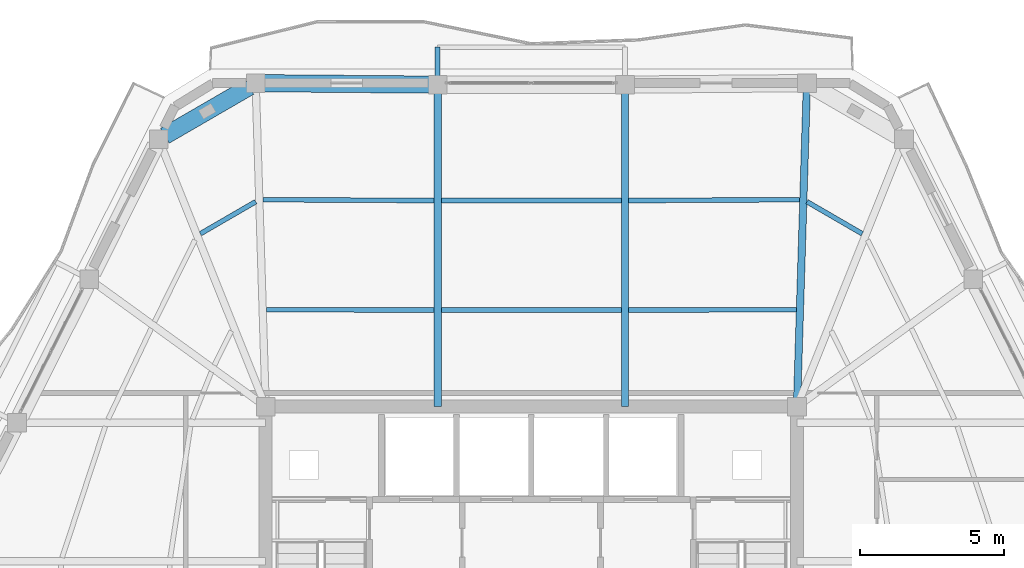
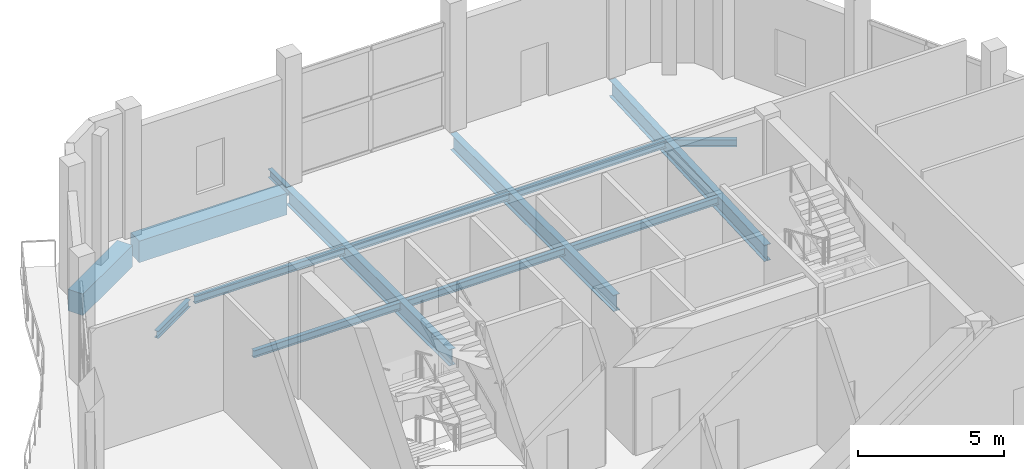
# One storey, part 14 of 23: 14 beams.
"""IFC4 building model written with IfcOpenShell, lengths in metres."""

from ifc_helpers import new_model, si_unit, direction, frame, origin, origin_2d, place, context, subcontext, project, spatial, rectangle, i_section, extrude, material, material_profile, profile_set, type_object, element, save


model = new_model("IFC4")

# Units and contexts
model_context = context("Model", 3, precision=1e-05, world=origin(), true_north=direction((0.0, 1.0)))
body_context = subcontext(model_context, "Body", "Model", "MODEL_VIEW")
ifc_project = project(units=[si_unit("LENGTHUNIT", "METRE"), si_unit("AREAUNIT", "SQUARE_METRE"), si_unit("VOLUMEUNIT", "CUBIC_METRE"), si_unit("PLANEANGLEUNIT", "RADIAN"), si_unit("MASSUNIT", "GRAM", prefix="KILO")], contexts=[model_context])

# Site, building, storey
site_placement = place(None, origin())
site = spatial("IfcSite", under=ifc_project, at=site_placement, CompositionType="ELEMENT")
building_placement = place(site_placement, origin())
building = spatial("IfcBuilding", under=site, at=building_placement, Name="Cinnabar Lancet Tower", CompositionType="ELEMENT")
storey_placement = place(building_placement, frame((0.0, 0.0, 278.10009765625)))
storey = spatial("IfcBuildingStorey", under=building, at=storey_placement, Name="L74", CompositionType="ELEMENT", Elevation=278.10009765625)

# Beams
ifc_material_1 = material(Name="Structural steel S355", Category="steel")
ifc_material_profile_1 = material_profile(ifc_material_1, i_section(OverallWidth=0.1650390625, OverallDepth=0.303466796875, WebThickness=0.006103515625, FlangeThickness=0.01025390625, FilletRadius=0.0087890625, at=origin_2d()), Name="UKB 305x165x40")
ifc_profile_set_1 = profile_set([ifc_material_profile_1], Name="Structural steel S355")
beam_type_1 = type_object("IfcBeamType", Name="STR-BM-JST-305", PredefinedType="JOIST", material=ifc_profile_set_1)
beam_1_placement = place(storey_placement, frame((43.89208984375, 39.131103515625, -0.43212890625), z_axis=(-0.865207786173, 0.501413488795, 0.0), x_axis=(-0.501413488795, -0.865207786173, 0.0)))
element("IfcBeam", 1, at=beam_1_placement, inside=storey, type_object=beam_type_1, Name="L74 Secondary Floor Joist 29", PredefinedType="JOIST", context=body_context, shape_type="SweptSolid", body=[
    extrude(i_section(OverallWidth=0.1650390625, OverallDepth=0.303466796875, WebThickness=0.006103515625, FlangeThickness=0.01025390625, FilletRadius=0.0087890625, at=origin_2d()), origin(), (0.0, 0.0, 1.0), 2.21923828125),
])
beam_2_placement = place(storey_placement, frame((41.719970703125, 40.31494140625, -0.43212890625), z_axis=(-0.999985500209, -0.005385106492, 0.0), x_axis=(0.005385106492, -0.999985500209, 0.0)))
element("IfcBeam", 2, at=beam_2_placement, inside=storey, type_object=beam_type_1, Name="L74 Secondary Floor Joist 30", PredefinedType="JOIST", context=body_context, shape_type="SweptSolid", body=[
    extrude(i_section(OverallWidth=0.1650390625, OverallDepth=0.303466796875, WebThickness=0.006103515625, FlangeThickness=0.01025390625, FilletRadius=0.0087890625, at=origin_2d()), origin(), (0.0, 0.0, 1.0), 5.93896484375),
])
beam_3_placement = place(storey_placement, frame((41.60205078125, 36.4951171875, -0.43212890625), z_axis=(-0.999996619123, -0.002600335125, 0.0), x_axis=(0.002600335125, -0.999996619123, 0.0)))
element("IfcBeam", 3, at=beam_3_placement, inside=storey, type_object=beam_type_1, Name="L74 Secondary Floor Joist 31", PredefinedType="JOIST", context=body_context, shape_type="SweptSolid", body=[
    extrude(i_section(OverallWidth=0.1650390625, OverallDepth=0.303466796875, WebThickness=0.006103515625, FlangeThickness=0.01025390625, FilletRadius=0.0087890625, at=origin_2d()), origin(), (0.0, 0.0, 1.0), 5.821044921875),
])
for number, where, z_axis, x_axis, name in (
    (4, (35.527099609375, 40.281982421875, -0.43212890625), (-1.0, 0.0, 0.0), (0.0, -1.0, 0.0), "L74 Secondary Floor Joist 32"),
    (5, (35.527099609375, 36.47998046875, -0.43212890625), (-1.0, 0.0, 0.0), (0.0, -1.0, 0.0), "L74 Secondary Floor Joist 33"),
):
    element("IfcBeam", number, at=place(storey_placement, frame(where, z_axis=z_axis, x_axis=x_axis)), inside=storey, type_object=beam_type_1, Name=name, PredefinedType="JOIST", context=body_context, shape_type="SweptSolid", body=[
        extrude(i_section(OverallWidth=0.1650390625, OverallDepth=0.303466796875, WebThickness=0.006103515625, FlangeThickness=0.01025390625, FilletRadius=0.0087890625, at=origin_2d()), origin(), (0.0, 0.0, 1.0), 6.254150390625),
    ])
beam_4_placement = place(storey_placement, frame((29.01904296875, 40.282958984375, -0.43212890625), z_axis=(-0.999985500209, 0.005385106492, 0.0), x_axis=(-0.005385106492, -0.999985500209, 0.0)))
element("IfcBeam", 6, at=beam_4_placement, inside=storey, type_object=beam_type_1, Name="L74 Secondary Floor Joist 34", PredefinedType="JOIST", context=body_context, shape_type="SweptSolid", body=[
    extrude(i_section(OverallWidth=0.1650390625, OverallDepth=0.303466796875, WebThickness=0.006103515625, FlangeThickness=0.01025390625, FilletRadius=0.0087890625, at=origin_2d()), origin(), (0.0, 0.0, 1.0), 5.93896484375),
])
beam_5_placement = place(storey_placement, frame((29.01904296875, 36.47998046875, -0.43212890625), z_axis=(-0.999996619123, 0.002600335125, 0.0), x_axis=(-0.002600335125, -0.999996619123, 0.0)))
element("IfcBeam", 7, at=beam_5_placement, inside=storey, type_object=beam_type_1, Name="L74 Secondary Floor Joist 35", PredefinedType="JOIST", context=body_context, shape_type="SweptSolid", body=[
    extrude(i_section(OverallWidth=0.1650390625, OverallDepth=0.303466796875, WebThickness=0.006103515625, FlangeThickness=0.01025390625, FilletRadius=0.0087890625, at=origin_2d()), origin(), (0.0, 0.0, 1.0), 5.821044921875),
])
beam_6_placement = place(storey_placement, frame((22.827880859375, 40.243896484375, -0.43212890625), z_axis=(-0.865180124673, -0.501461216717, 0.0), x_axis=(0.501461216717, -0.865180124673, 0.0)))
element("IfcBeam", 8, at=beam_6_placement, inside=storey, type_object=beam_type_1, Name="L74 Secondary Floor Joist 36", PredefinedType="JOIST", context=body_context, shape_type="SweptSolid", body=[
    extrude(i_section(OverallWidth=0.1650390625, OverallDepth=0.303466796875, WebThickness=0.006103515625, FlangeThickness=0.01025390625, FilletRadius=0.0087890625, at=origin_2d()), origin(), (0.0, 0.0, 1.0), 2.218994140625),
])
ifc_material_2 = material(Name="Concrete C60/75", Category="concrete")
ifc_material_profile_2 = material_profile(ifc_material_2, rectangle(XDim=0.60009765625, YDim=0.89990234375, at=origin_2d()), Name="RC-SB 600x900")
ifc_profile_set_2 = profile_set([ifc_material_profile_2], Name="Concrete C60/75")
beam_type_2 = type_object("IfcBeamType", Name="STR-BM-RCSB-900", PredefinedType="SPANDREL", material=ifc_profile_set_2)
beam_7_placement = place(storey_placement, frame((28.89599609375, 44.31005859375, -0.72998046875), z_axis=(-0.999964785419, 0.008392134492, 0.0), x_axis=(-0.008392134492, -0.999964785419, 0.0)))
element("IfcBeam", 9, at=beam_7_placement, inside=storey, type_object=beam_type_2, Name="L74 Perimeter Spandrel 15", PredefinedType="SPANDREL", context=body_context, shape_type="SweptSolid", body=[
    extrude(rectangle(XDim=0.60009765625, YDim=0.89990234375, at=origin_2d()), origin(), (0.0, 0.0, 1.0), 5.818359375),
])
beam_8_placement = place(storey_placement, frame((22.612060546875, 44.236083984375, -0.72998046875), z_axis=(-0.865199693264, -0.501427453153, 0.0), x_axis=(0.501427453153, -0.865199693264, 0.0)))
element("IfcBeam", 10, at=beam_8_placement, inside=storey, type_object=beam_type_2, Name="L74 Perimeter Spandrel 16", PredefinedType="SPANDREL", context=body_context, shape_type="SweptSolid", body=[
    extrude(rectangle(XDim=0.60009765625, YDim=0.89990234375, at=origin_2d()), origin(), (0.0, 0.0, 1.0), 3.39453125),
])
ifc_material_3 = material(Name="Structural steel S355", Category="steel")
ifc_material_profile_3 = material_profile(ifc_material_3, i_section(OverallWidth=0.253662109375, OverallDepth=0.68359375, WebThickness=0.012451171875, FlangeThickness=0.01904296875, FilletRadius=0.01513671875, at=origin_2d()), Name="UKB 686x254x140")
ifc_profile_set_3 = profile_set([ifc_material_profile_3], Name="Structural steel S355")
beam_type_3 = type_object("IfcBeamType", Name="STR-BM-UKB686-140", PredefinedType="BEAM", material=ifc_profile_set_3)
beam_9_placement = place(storey_placement, frame((41.971923828125, 44.361083984375, -0.6220703125), z_axis=(-0.030861159652, -0.999523680973, 0.0), x_axis=(0.999523680973, -0.030861159652, 0.0)))
element("IfcBeam", 11, at=beam_9_placement, inside=storey, type_object=beam_type_3, Name="L74 Primary Floor Girder 13", PredefinedType="BEAM", context=body_context, shape_type="SweptSolid", body=[
    extrude(i_section(OverallWidth=0.253662109375, OverallDepth=0.68359375, WebThickness=0.012451171875, FlangeThickness=0.01904296875, FilletRadius=0.01513671875, at=origin_2d()), origin(), (0.0, 0.0, 1.0), 11.241455078125),
])
for number, where, z_axis, x_axis, name in (
    (12, (35.654052734375, 44.30810546875, -0.6220703125), (0.0, -1.0, 0.0), (1.0, 0.0, 0.0), "L74 Primary Floor Girder 14"),
    (13, (29.14599609375, 44.30810546875, -0.6220703125), (0.0, -1.0, 0.0), (1.0, 0.0, 0.0), "L74 Primary Floor Girder 15"),
):
    element("IfcBeam", number, at=place(storey_placement, frame(where, z_axis=z_axis, x_axis=x_axis)), inside=storey, type_object=beam_type_3, Name=name, PredefinedType="BEAM", context=body_context, shape_type="SweptSolid", body=[
        extrude(i_section(OverallWidth=0.253662109375, OverallDepth=0.68359375, WebThickness=0.012451171875, FlangeThickness=0.01904296875, FilletRadius=0.01513671875, at=origin_2d()), origin(), (0.0, 0.0, 1.0), 11.18310546875),
    ])
ifc_material_4 = material(Name="Structural steel S355", Category="steel")
ifc_material_profile_4 = material_profile(ifc_material_4, i_section(OverallWidth=0.17138671875, OverallDepth=0.35498046875, WebThickness=0.00732421875, FlangeThickness=0.011474609375, FilletRadius=0.01025390625, at=origin_2d()), Name="UKB 356x171x51")
ifc_profile_set_4 = profile_set([ifc_material_profile_4], Name="Structural steel S355")
beam_type_4 = type_object("IfcBeamType", Name="STR-BM-WAV-OUT", PredefinedType="BEAM", material=ifc_profile_set_4)
beam_10_placement = place(storey_placement, frame((29.14599609375, 44.30810546875, -0.4580078125), z_axis=(0.0, 1.0, 0.0), x_axis=(-1.0, 0.0, 0.0)))
element("IfcBeam", 14, at=beam_10_placement, inside=storey, type_object=beam_type_4, Name="L74 Face 4 Balcony Outlooker B", PredefinedType="BEAM", context=body_context, shape_type="SweptSolid", body=[
    extrude(i_section(OverallWidth=0.17138671875, OverallDepth=0.35498046875, WebThickness=0.00732421875, FlangeThickness=0.011474609375, FilletRadius=0.01025390625, at=origin_2d()), origin(), (0.0, 0.0, 1.0), 1.2998046875),
])

save(model, "model.ifc")
